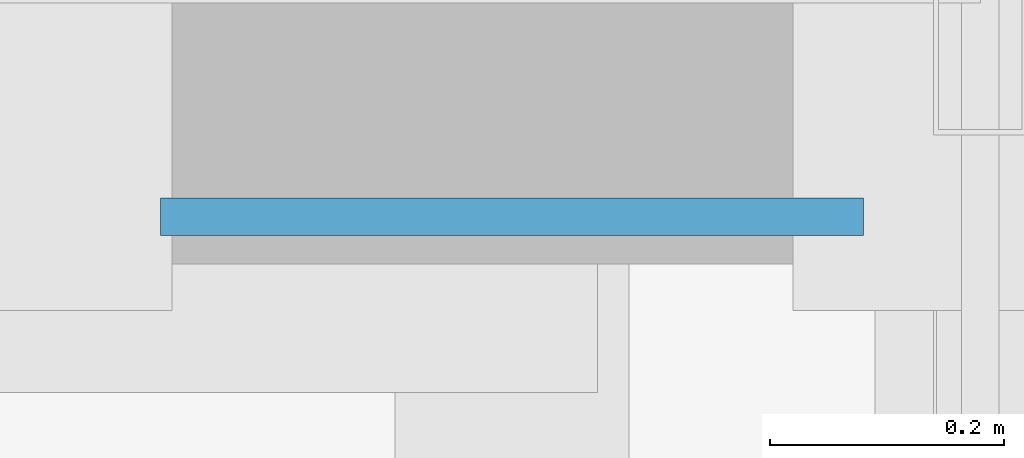
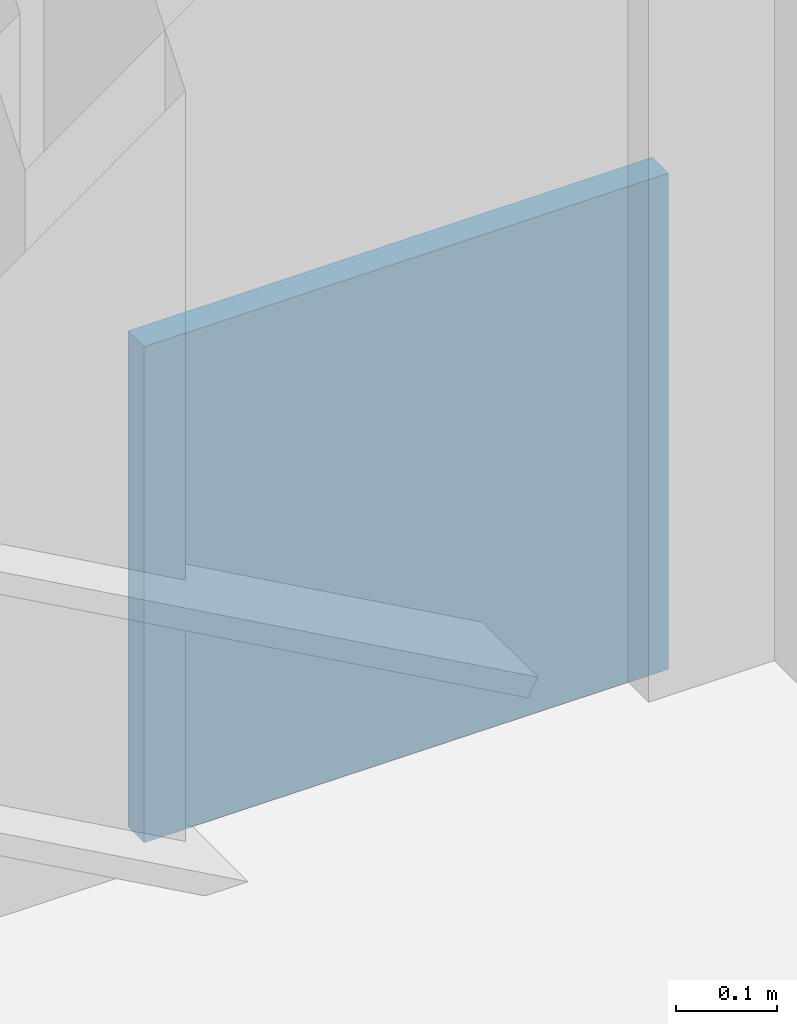
# One storey, part 20 of 25: 1 plate.
"""IFC4 building model written with IfcOpenShell, lengths in metres."""

from ifc_helpers import new_model, si_unit, direction, frame, origin, origin_2d, place, context, subcontext, project, spatial, rectangle, extrude, source, transform, mapped, material, layer, layer_set, type_object, element, save


model = new_model("IFC4")

# Units and contexts
model_context = context("Model", 3, precision=1e-05, world=origin(), true_north=direction((0.0, 1.0)))
body_context = subcontext(model_context, "Body", "Model", "MODEL_VIEW")
ifc_project = project(units=[si_unit("LENGTHUNIT", "METRE"), si_unit("AREAUNIT", "SQUARE_METRE"), si_unit("VOLUMEUNIT", "CUBIC_METRE"), si_unit("PLANEANGLEUNIT", "RADIAN"), si_unit("MASSUNIT", "GRAM", prefix="KILO")], contexts=[model_context])

# Site, building, storey
site_placement = place(None, origin())
site = spatial("IfcSite", under=ifc_project, at=site_placement, CompositionType="ELEMENT")
building_placement = place(site_placement, origin())
building = spatial("IfcBuilding", under=site, at=building_placement, Name="Trelvane Seafront Commons", CompositionType="ELEMENT")
storey_placement = place(building_placement, frame((0.0, 0.0, 316.699951171875)))
storey = spatial("IfcBuildingStorey", under=building, at=storey_placement, Name="L82", CompositionType="ELEMENT", Elevation=316.699951171875)

# Plate
ifc_material = material(Name="Steel SM355 (S355)", Category="steel")
ifc_layer = layer(ifc_material, 0.031982421875, Name="STR-PLT-GUS2")
ifc_layer_set = layer_set([ifc_layer], Name="Steel SM355 (S355)")
plate_type = type_object("IfcPlateType", Name="STR-PLT-GUS2", PredefinedType="SHEET", material=ifc_layer_set)
shared_shape = source(origin(), body_context, "Body", "SweptSolid", [
    extrude(rectangle(XDim=0.60009765625, YDim=0.031982421875, at=origin_2d()), origin(), (0.0, 0.0, 1.0), 0.60009765625),
])
plate_placement = place(storey_placement, frame((65.60009765625, 44.10009765625, -0.02001953125), z_axis=(0.0, 0.0, 1.0), x_axis=(1.0, 0.0, 0.0)))
element("IfcPlate", 1, at=plate_placement, inside=storey, type_object=plate_type, Name="L82 Brace Connection Gusset Plate GP-137", PredefinedType="SHEET", context=body_context, shape_type="MappedRepresentation", body=[
    mapped(shared_shape, transform((0.0, 0.0, 0.0), x_axis=(1.0, 0.0, 0.0), y_axis=(0.0, 1.0, 0.0), z_axis=(0.0, 0.0, 1.0), scale=1.0)),
])

save(model, "model.ifc")
